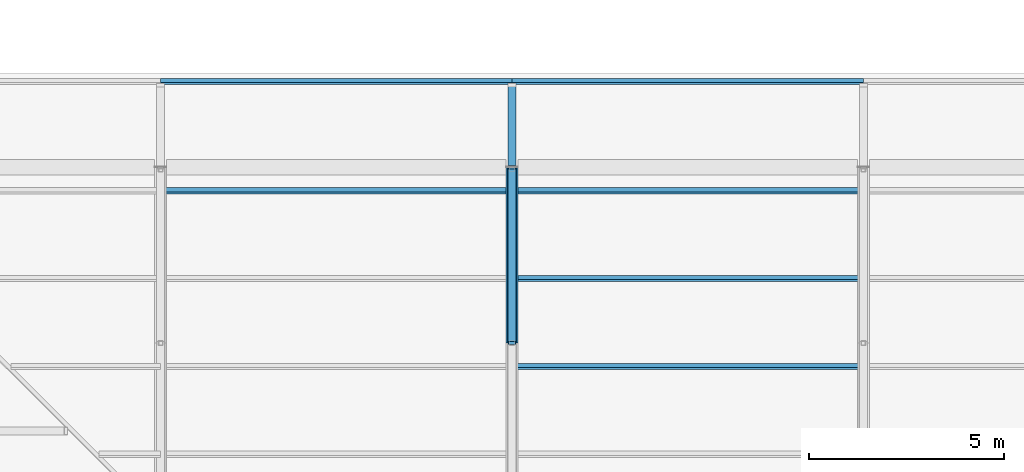
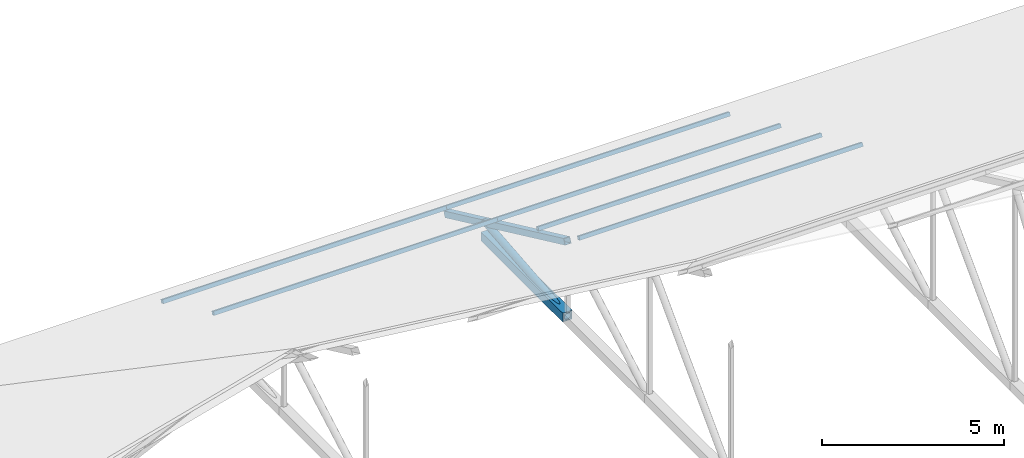
# One storey, part 71 of 154: 10 members.
"""IFC4 building model written with IfcOpenShell, lengths in metres."""

from ifc_helpers import new_model, si_unit, direction, frame, origin, origin_2d, place, context, subcontext, project, spatial, hollow_rectangle, hollow_circle, extrude, material, material_profile, profile_set, type_object, element, save


model = new_model("IFC4")

# Units and contexts
model_context = context("Model", 3, precision=1e-05, world=origin(), true_north=direction((0.0, 1.0)))
body_context = subcontext(model_context, "Body", "Model", "MODEL_VIEW")
ifc_project = project(units=[si_unit("LENGTHUNIT", "METRE"), si_unit("AREAUNIT", "SQUARE_METRE"), si_unit("VOLUMEUNIT", "CUBIC_METRE"), si_unit("PLANEANGLEUNIT", "RADIAN"), si_unit("MASSUNIT", "GRAM", prefix="KILO")], contexts=[model_context])

# Site, building, storey
site_placement = place(None, origin())
site = spatial("IfcSite", under=ifc_project, at=site_placement, CompositionType="ELEMENT")
building_placement = place(site_placement, origin())
building = spatial("IfcBuilding", under=site, at=building_placement, Name="Golden Quay Civic Hall", CompositionType="ELEMENT")
storey_placement = place(building_placement, frame((0.0, 0.0, 14.39990234375)))
storey = spatial("IfcBuildingStorey", under=building, at=storey_placement, Name="L03", CompositionType="ELEMENT", Elevation=14.39990234375)

# Members
ifc_material_1 = material(Name="Steel S355", Category="steel")
ifc_material_profile_1 = material_profile(ifc_material_1, hollow_rectangle(XDim=0.1201171875, YDim=0.1201171875, WallThickness=0.008056640625, at=origin_2d()), Name="SHS 120x120x8")
ifc_profile_set_1 = profile_set([ifc_material_profile_1], Name="Steel S355")
member_type_1 = type_object("IfcMemberType", Name="Steel roof purlin SHS 120x120x8", PredefinedType="PURLIN", material=ifc_profile_set_1)
for number, where, z_axis, x_axis, name in (
    (1, (126.0, 101.199951171875, -0.521240234375), (1.0, 0.0, 0.0), (0.0, 0.906307787037, -0.422618261741), "Purlin north 1-2 L03"),
    (2, (135.0, 101.199951171875, -0.521240234375), (1.0, 0.0, 0.0), (0.0, 0.906307787037, -0.422618261741), "Purlin north 1-3 L03"),
    (3, (126.0, 98.39990234375, 0.784423828125), (1.0, 0.0, 0.0), (0.0, 0.906307787037, -0.422618261741), "Purlin north 2-2 L03"),
    (4, (135.0, 98.39990234375, 0.784423828125), (1.0, 0.0, 0.0), (0.0, 0.906307787037, -0.422618261741), "Purlin north 2-3 L03"),
    (5, (135.0, 96.14990234375, 1.83349609375), (1.0, 0.0, 0.0), (0.0, 0.906307787037, -0.422618261741), "Purlin north 3-3 L03"),
    (6, (135.0, 93.89990234375, 2.8828125), (1.0, 0.0, 0.0), (0.0, 0.906307787037, -0.422618261741), "Purlin north 4-3 L03"),
):
    element("IfcMember", number, at=place(storey_placement, frame(where, z_axis=z_axis, x_axis=x_axis)), inside=storey, type_object=member_type_1, Name=name, PredefinedType="PURLIN", context=body_context, shape_type="SweptSolid", body=[
        extrude(hollow_rectangle(XDim=0.1201171875, YDim=0.1201171875, WallThickness=0.008056640625, at=origin_2d()), origin(), (0.0, 0.0, 1.0), 9.0),
    ])
ifc_material_2 = material(Name="Steel S355", Category="steel")
ifc_material_profile_2 = material_profile(ifc_material_2, hollow_rectangle(XDim=0.300048828125, YDim=0.300048828125, WallThickness=0.01611328125, at=origin_2d()), Name="SHS 300x300x16")
ifc_profile_set_2 = profile_set([ifc_material_profile_2], Name="Steel S355")
member_type_2 = type_object("IfcMemberType", Name="Steel truss bottom chord SHS 300x300x16", PredefinedType="USERDEFINED", material=ifc_profile_set_2)
member_1_placement = place(storey_placement, frame((135.0, 94.5, -0.099853515625), z_axis=(0.0, 1.0, 0.0), x_axis=(-1.0, 0.0, 0.0)))
element("IfcMember", 7, at=member_1_placement, inside=storey, type_object=member_type_2, Name="Truss 135 bottom chord 8 L03", ObjectType="TRUSS BOTTOM CHORD", PredefinedType="USERDEFINED", context=body_context, shape_type="SweptSolid", body=[
    extrude(hollow_rectangle(XDim=0.300048828125, YDim=0.300048828125, WallThickness=0.01611328125, at=origin_2d()), origin(), (0.0, 0.0, 1.0), 4.5),
])
ifc_material_3 = material(Name="Steel S355", Category="steel")
ifc_material_profile_3 = material_profile(ifc_material_3, hollow_circle(Radius=0.109619140625, WallThickness=0.010009765625, at=origin_2d()), Name="CHS 219.1x10")
ifc_profile_set_3 = profile_set([ifc_material_profile_3], Name="Steel S355")
member_type_3 = type_object("IfcMemberType", Name="Steel truss diagonal CHS 219.1x10", PredefinedType="BRACE", material=ifc_profile_set_3)
member_2_placement = place(storey_placement, frame((135.0, 94.5, -0.099853515625), z_axis=(0.0, 0.995512933083, 0.094625578275), x_axis=(-1.0, 0.0, 0.0)))
element("IfcMember", 8, at=member_2_placement, inside=storey, type_object=member_type_3, Name="Truss 135 diagonal 8 L03", PredefinedType="BRACE", context=body_context, shape_type="SweptSolid", body=[
    extrude(hollow_circle(Radius=0.109619140625, WallThickness=0.010009765625, at=origin_2d()), origin(), (0.0, 0.0, 1.0), 4.520263671875),
])
ifc_material_4 = material(Name="Steel S355", Category="steel")
ifc_material_profile_4 = material_profile(ifc_material_4, hollow_rectangle(XDim=0.199951171875, YDim=0.199951171875, WallThickness=0.010009765625, at=origin_2d()), Name="SHS 200x200x10")
ifc_profile_set_4 = profile_set([ifc_material_profile_4], Name="Steel S355")
member_type_4 = type_object("IfcMemberType", Name="Steel truss top chord SHS 200x200x10", PredefinedType="USERDEFINED", material=ifc_profile_set_4)
member_3_placement = place(storey_placement, frame((135.0, 94.5, 2.426513671875), z_axis=(0.0, 0.906288628397, -0.422659345144), x_axis=(-1.0, 0.0, 0.0)))
element("IfcMember", 9, at=member_3_placement, inside=storey, type_object=member_type_4, Name="Truss 135 top chord 9 L03", ObjectType="TRUSS TOP CHORD", PredefinedType="USERDEFINED", context=body_context, shape_type="SweptSolid", body=[
    extrude(hollow_rectangle(XDim=0.199951171875, YDim=0.199951171875, WallThickness=0.010009765625, at=origin_2d()), origin(), (0.0, 0.0, 1.0), 4.96533203125),
])
member_4_placement = place(storey_placement, frame((135.0, 99.0, 0.327880859375), z_axis=(0.0, 0.906355341487, -0.42251626591), x_axis=(-1.0, 0.0, 0.0)))
element("IfcMember", 10, at=member_4_placement, inside=storey, type_object=member_type_4, Name="Truss 135 top chord 10 L03", ObjectType="TRUSS TOP CHORD", PredefinedType="USERDEFINED", context=body_context, shape_type="SweptSolid", body=[
    extrude(hollow_rectangle(XDim=0.199951171875, YDim=0.199951171875, WallThickness=0.010009765625, at=origin_2d()), origin(), (0.0, 0.0, 1.0), 2.317138671875),
])

save(model, "model.ifc")
